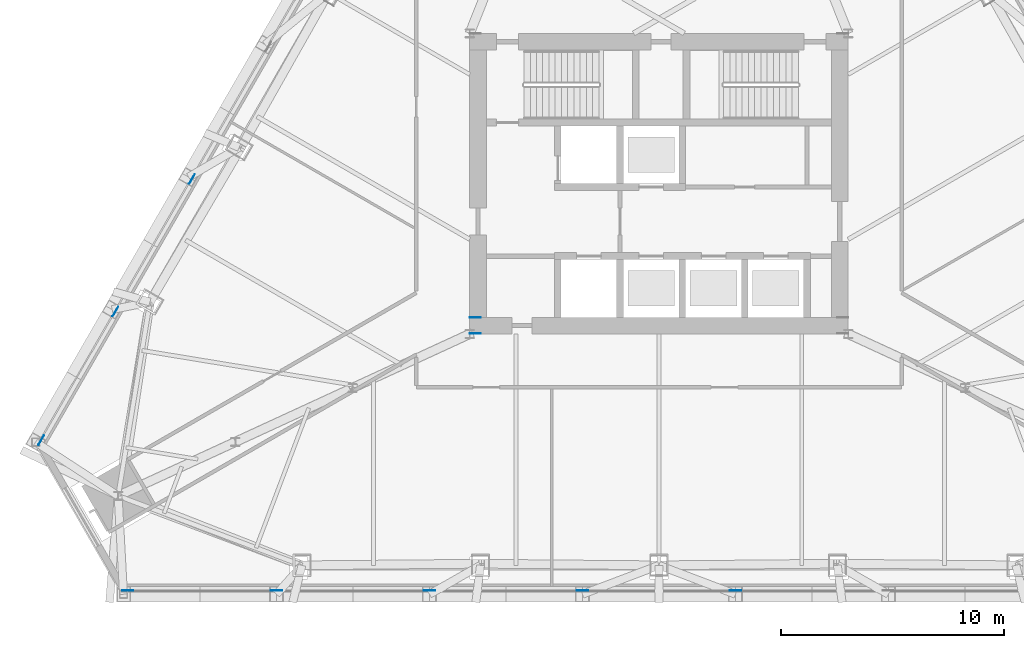
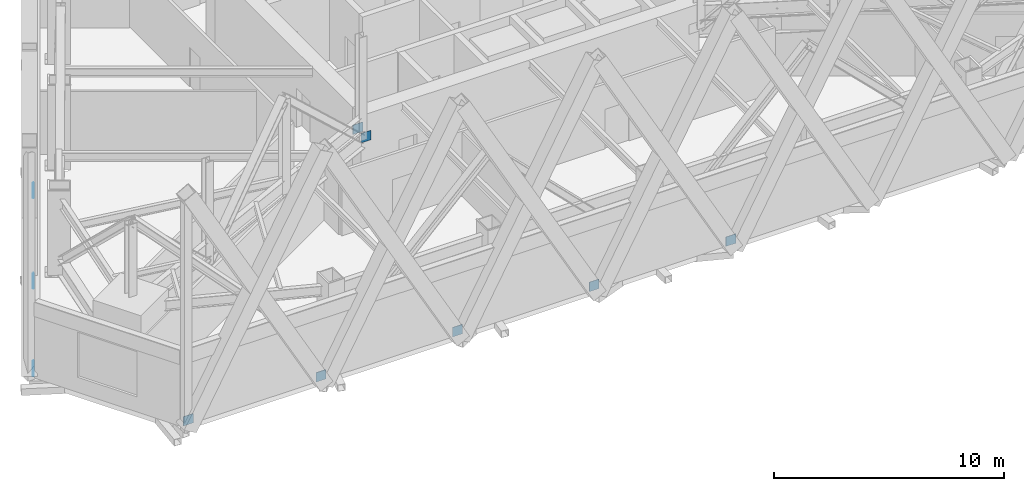
# One storey, part 11 of 16: 10 discrete accessories.
"""IFC4 building model written with IfcOpenShell, lengths in metres."""

from ifc_helpers import new_model, si_unit, direction, frame, origin, origin_2d, place, context, subcontext, project, spatial, rectangle, extrude, material, layer, layer_set, type_object, element, save


model = new_model("IFC4")

# Units and contexts
model_context = context("Model", 3, precision=1e-05, world=origin(), true_north=direction((0.0, 1.0)))
body_context = subcontext(model_context, "Body", "Model", "MODEL_VIEW")
ifc_project = project(units=[si_unit("LENGTHUNIT", "METRE"), si_unit("AREAUNIT", "SQUARE_METRE"), si_unit("VOLUMEUNIT", "CUBIC_METRE"), si_unit("PLANEANGLEUNIT", "RADIAN"), si_unit("MASSUNIT", "GRAM", prefix="KILO")], contexts=[model_context])

# Site, building, storey
site_placement = place(None, origin())
site = spatial("IfcSite", under=ifc_project, at=site_placement, CompositionType="ELEMENT")
building_placement = place(site_placement, origin())
building = spatial("IfcBuilding", under=site, at=building_placement, Name="Firuza Gate Tower and Library", CompositionType="ELEMENT")
storey_placement = place(building_placement, frame((0.0, 0.0, 247.60009765625)))
storey = spatial("IfcBuildingStorey", under=building, at=storey_placement, Name="L58", CompositionType="ELEMENT", Elevation=247.60009765625)

# Discrete accessories
ifc_material = material(Name="Steel S355", Category="steel")
ifc_layer = layer(ifc_material, 0.02490234375)
ifc_layer_set = layer_set([ifc_layer], Name="Cast-in anchor plate 500x500x25 Steel S355")
discrete_accessory_type = type_object("IfcDiscreteAccessoryType", Name="Cast-in anchor plate 500x500x25 Steel S355", PredefinedType="BRACKET", material=ifc_layer_set)
for number, where, z_axis, x_axis, name in (
    (1, (51.14794921875, 56.730224609375, 0.0), (0.0, 0.0, 1.0), (1.0, 0.0, 0.0), "Cast-in anchor plate"),
    (2, (57.821533203125, 56.730224609375, 0.0), (0.0, 0.0, 1.0), (1.0, 0.0, 0.0), "Cast-in anchor plate"),
    (3, (64.69287109375, 56.730224609375, 0.0), (0.0, 0.0, 1.0), (1.0, 0.0, 0.0), "Cast-in anchor plate"),
    (4, (71.564208984375, 56.730224609375, 0.0), (0.0, 0.0, 1.0), (1.0, 0.0, 0.0), "Cast-in anchor plate"),
    (5, (78.435791015625, 56.730224609375, 0.0), (0.0, 0.0, 1.0), (1.0, 0.0, 0.0), "Cast-in anchor plate"),
    (6, (54.0244140625, 75.20849609375, 0.0), (0.0, 0.0, 1.0), (-0.499999984885, -0.866025412511, 0.0), "Cast-in anchor plate"),
    (7, (50.588623046875, 69.2578125, 0.0), (0.0, 0.0, 1.0), (-0.499999984885, -0.866025412511, 0.0), "Cast-in anchor plate"),
    (8, (47.251953125, 63.478515625, 0.0), (0.0, 0.0, 1.0), (-0.499999984885, -0.866025412511, 0.0), "Cast-in anchor plate"),
    (9, (66.75, 68.262451171875, 2.60595703125), (0.0, 0.0, 1.0), (1.0, 0.0, 0.0), "Cast-in anchor plate"),
    (10, (66.75, 68.987548828125, 2.60595703125), (0.0, 0.0, 1.0), (1.0, 0.0, 0.0), "Cast-in anchor plate"),
):
    element("IfcDiscreteAccessory", number, at=place(storey_placement, frame(where, z_axis=z_axis, x_axis=x_axis)), inside=storey, type_object=discrete_accessory_type, Name=name, PredefinedType="BRACKET", context=body_context, shape_type="SweptSolid", body=[
        extrude(rectangle(XDim=0.5, YDim=0.02490234375, at=origin_2d()), origin(), (0.0, 0.0, 1.0), 0.5),
    ])

save(model, "model.ifc")
